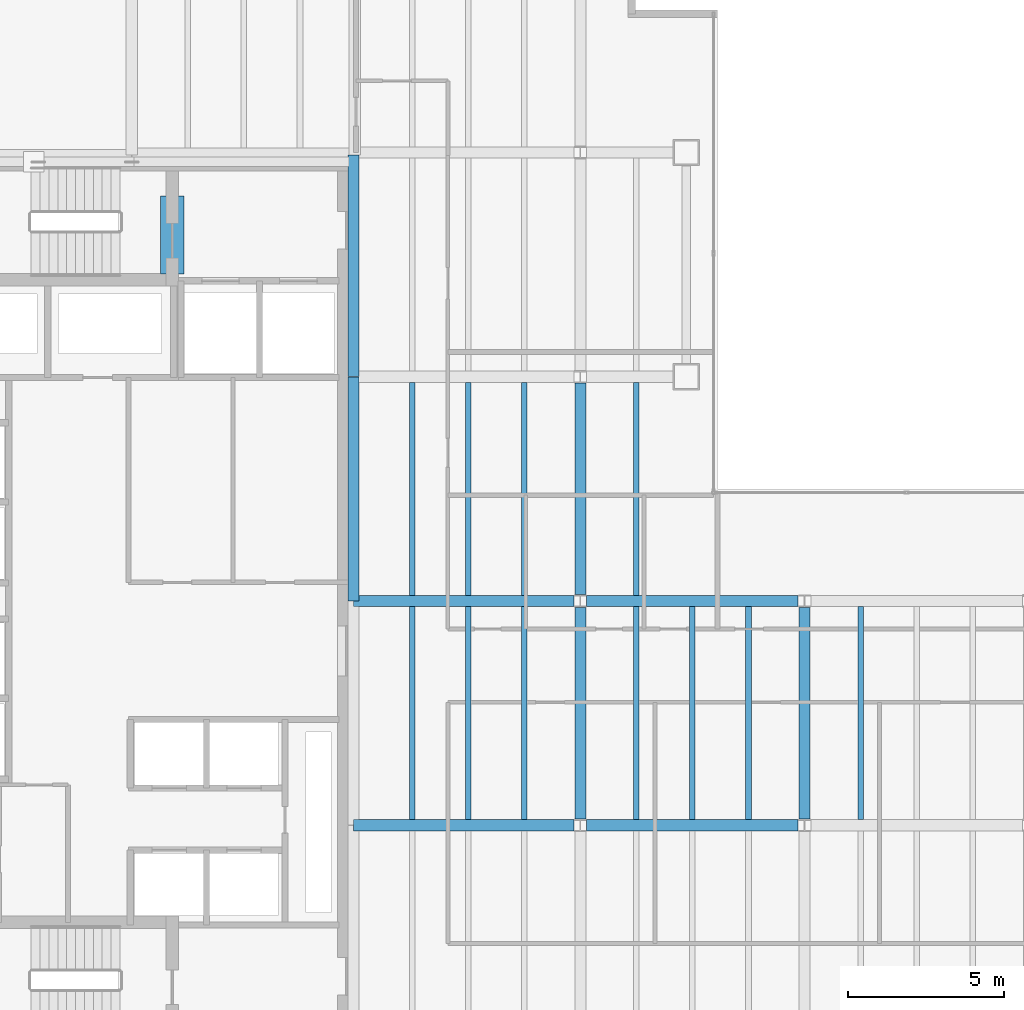
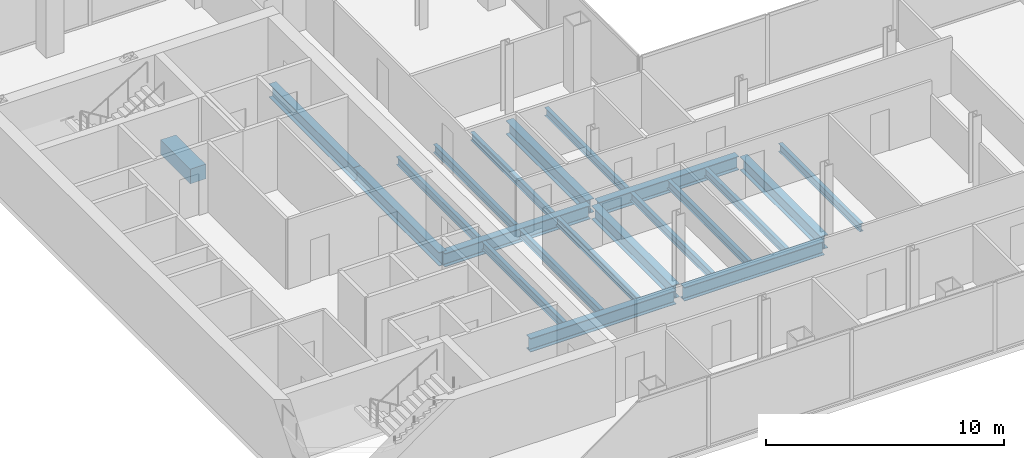
# One storey, part 6 of 23: 21 beams.
"""IFC4 building model written with IfcOpenShell, lengths in metres."""

from ifc_helpers import new_model, si_unit, direction, frame, origin, origin_2d, place, context, subcontext, project, spatial, rectangle, i_section, extrude, material, material_profile, profile_set, type_object, element, save


model = new_model("IFC4")

# Units and contexts
model_context = context("Model", 3, precision=1e-05, world=origin(), true_north=direction((0.0, 1.0)))
body_context = subcontext(model_context, "Body", "Model", "MODEL_VIEW")
ifc_project = project(units=[si_unit("LENGTHUNIT", "METRE"), si_unit("AREAUNIT", "SQUARE_METRE"), si_unit("VOLUMEUNIT", "CUBIC_METRE"), si_unit("PLANEANGLEUNIT", "RADIAN"), si_unit("MASSUNIT", "GRAM", prefix="KILO")], contexts=[model_context])

# Site, building, storey
site_placement = place(None, origin())
site = spatial("IfcSite", under=ifc_project, at=site_placement, CompositionType="ELEMENT")
building_placement = place(site_placement, origin())
building = spatial("IfcBuilding", under=site, at=building_placement, Name="Cobrela Telecom Tower", CompositionType="ELEMENT")
storey_placement = place(building_placement, frame((0.0, 0.0, 156.10009765625)))
storey = spatial("IfcBuildingStorey", under=building, at=storey_placement, Name="L39", CompositionType="ELEMENT", Elevation=156.10009765625)

# Beams
ifc_material_1 = material(Name="Concrete C40/50", Category="concrete")
ifc_material_profile_1 = material_profile(ifc_material_1, rectangle(XDim=0.75, YDim=0.75, at=origin_2d()), Name="RC 750x750")
ifc_profile_set_1 = profile_set([ifc_material_profile_1], Name="Concrete C40/50")
beam_type_1 = type_object("IfcBeamType", Name="BM-COUP-RC", PredefinedType="LINTEL", material=ifc_profile_set_1)
beam_1_placement = place(storey_placement, frame((8.5, 32.10009765625, -0.6201171875), z_axis=(0.0, 1.0, 0.0), x_axis=(-1.0, 0.0, 0.0)))
element("IfcBeam", 1, at=beam_1_placement, inside=storey, type_object=beam_type_1, Name="L39 Core Coupling Lintel Beam", PredefinedType="LINTEL", context=body_context, shape_type="SweptSolid", body=[
    extrude(rectangle(XDim=0.75, YDim=0.75, at=origin_2d()), origin(), (0.0, 0.0, 1.0), 2.5),
])
ifc_material_2 = material(Name="Steel ASTM A992 Grade 50", Category="steel")
ifc_material_profile_2 = material_profile(ifc_material_2, i_section(OverallWidth=0.35595703125, OverallDepth=0.696044921875, WebThickness=0.015380859375, FlangeThickness=0.024658203125, FilletRadius=0.01806640625, at=origin_2d()), Name="W27X146")
ifc_profile_set_2 = profile_set([ifc_material_profile_2], Name="Steel ASTM A992 Grade 50")
beam_type_2 = type_object("IfcBeamType", Name="BM-GIRD-05", PredefinedType="USERDEFINED", material=ifc_profile_set_2)
beam_2_placement = place(storey_placement, frame((14.324951171875, 14.39990234375, -0.6181640625), z_axis=(1.0, 0.0, 0.0), x_axis=(0.0, 1.0, 0.0)))
element("IfcBeam", 2, at=beam_2_placement, inside=storey, type_object=beam_type_2, Name="L39 Primary Girder X13", ObjectType="GIRDER", PredefinedType="USERDEFINED", context=body_context, shape_type="SweptSolid", body=[
    extrude(i_section(OverallWidth=0.35595703125, OverallDepth=0.696044921875, WebThickness=0.015380859375, FlangeThickness=0.024658203125, FilletRadius=0.01806640625, at=origin_2d()), origin(), (0.0, 0.0, 1.0), 7.070556640625),
])
beam_3_placement = place(storey_placement, frame((21.804443359375, 14.39990234375, -0.6181640625), z_axis=(1.0, 0.0, 0.0), x_axis=(0.0, 1.0, 0.0)))
element("IfcBeam", 3, at=beam_3_placement, inside=storey, type_object=beam_type_2, Name="L39 Primary Girder X14", ObjectType="GIRDER", PredefinedType="USERDEFINED", context=body_context, shape_type="SweptSolid", body=[
    extrude(i_section(OverallWidth=0.35595703125, OverallDepth=0.696044921875, WebThickness=0.015380859375, FlangeThickness=0.024658203125, FilletRadius=0.01806640625, at=origin_2d()), origin(), (0.0, 0.0, 1.0), 6.791015625),
])
beam_4_placement = place(storey_placement, frame((14.324951171875, 21.60009765625, -0.6181640625), z_axis=(1.0, 0.0, 0.0), x_axis=(0.0, 1.0, 0.0)))
element("IfcBeam", 4, at=beam_4_placement, inside=storey, type_object=beam_type_2, Name="L39 Primary Girder X16", ObjectType="GIRDER", PredefinedType="USERDEFINED", context=body_context, shape_type="SweptSolid", body=[
    extrude(i_section(OverallWidth=0.35595703125, OverallDepth=0.696044921875, WebThickness=0.015380859375, FlangeThickness=0.024658203125, FilletRadius=0.01806640625, at=origin_2d()), origin(), (0.0, 0.0, 1.0), 7.070556640625),
])
beam_5_placement = place(storey_placement, frame((21.804443359375, 21.60009765625, -0.6181640625), z_axis=(1.0, 0.0, 0.0), x_axis=(0.0, 1.0, 0.0)))
element("IfcBeam", 5, at=beam_5_placement, inside=storey, type_object=beam_type_2, Name="L39 Primary Girder X17", ObjectType="GIRDER", PredefinedType="USERDEFINED", context=body_context, shape_type="SweptSolid", body=[
    extrude(i_section(OverallWidth=0.35595703125, OverallDepth=0.696044921875, WebThickness=0.015380859375, FlangeThickness=0.024658203125, FilletRadius=0.01806640625, at=origin_2d()), origin(), (0.0, 0.0, 1.0), 6.791015625),
])
beam_6_placement = place(storey_placement, frame((14.320068359375, 21.60498046875, -0.6181640625), z_axis=(0.0, 1.0, 0.0), x_axis=(-1.0, 0.0, 0.0)))
element("IfcBeam", 6, at=beam_6_placement, inside=storey, type_object=beam_type_2, Name="L39 Primary Girder Y32", ObjectType="GIRDER", PredefinedType="USERDEFINED", context=body_context, shape_type="SweptSolid", body=[
    extrude(i_section(OverallWidth=0.35595703125, OverallDepth=0.696044921875, WebThickness=0.015380859375, FlangeThickness=0.024658203125, FilletRadius=0.01806640625, at=origin_2d()), origin(), (0.0, 0.0, 1.0), 7.18994140625),
])
beam_7_placement = place(storey_placement, frame((14.320068359375, 28.804931640625, -0.6181640625), z_axis=(0.0, 1.0, 0.0), x_axis=(-1.0, 0.0, 0.0)))
element("IfcBeam", 7, at=beam_7_placement, inside=storey, type_object=beam_type_2, Name="L39 Primary Girder Y33", ObjectType="GIRDER", PredefinedType="USERDEFINED", context=body_context, shape_type="SweptSolid", body=[
    extrude(i_section(OverallWidth=0.35595703125, OverallDepth=0.696044921875, WebThickness=0.015380859375, FlangeThickness=0.024658203125, FilletRadius=0.01806640625, at=origin_2d()), origin(), (0.0, 0.0, 1.0), 7.110107421875),
])
for number, where, z_axis, x_axis, name in (
    (8, (21.60009765625, 14.6044921875, -0.6181640625), (0.0, 1.0, 0.0), (-1.0, 0.0, 0.0), "L39 Primary Girder Y37"),
    (9, (21.60009765625, 21.804443359375, -0.6181640625), (0.0, 1.0, 0.0), (-1.0, 0.0, 0.0), "L39 Primary Girder Y38"),
    (10, (28.800048828125, 14.6044921875, -0.6181640625), (0.0, 1.0, 0.0), (-1.0, 0.0, 0.0), "L39 Primary Girder Y44"),
):
    element("IfcBeam", number, at=place(storey_placement, frame(where, z_axis=z_axis, x_axis=x_axis)), inside=storey, type_object=beam_type_2, Name=name, ObjectType="GIRDER", PredefinedType="USERDEFINED", context=body_context, shape_type="SweptSolid", body=[
        extrude(i_section(OverallWidth=0.35595703125, OverallDepth=0.696044921875, WebThickness=0.015380859375, FlangeThickness=0.024658203125, FilletRadius=0.01806640625, at=origin_2d()), origin(), (0.0, 0.0, 1.0), 6.791015625),
    ])
ifc_material_profile_3 = material_profile(ifc_material_2, i_section(OverallWidth=0.179931640625, OverallDepth=0.4169921875, WebThickness=0.010986328125, FlangeThickness=0.01806640625, FilletRadius=0.011962890625, at=origin_2d()), Name="W16X57")
ifc_profile_set_3 = profile_set([ifc_material_profile_3], Name="Steel ASTM A992 Grade 50")
beam_type_3 = type_object("IfcBeamType", Name="BM-JOIST-04", PredefinedType="JOIST", material=ifc_profile_set_3)
for number, where, z_axis, x_axis, name in (
    (11, (16.199951171875, 14.5830078125, -0.478515625), (0.0, 1.0, 0.0), (-1.0, 0.0, 0.0), "L39 Secondary Composite Floor Beam J05"),
    (12, (16.199951171875, 21.782958984375, -0.478515625), (0.0, 1.0, 0.0), (-1.0, 0.0, 0.0), "L39 Secondary Composite Floor Beam J06"),
    (13, (18.0, 14.5830078125, -0.478515625), (0.0, 1.0, 0.0), (-1.0, 0.0, 0.0), "L39 Secondary Composite Floor Beam J10"),
    (14, (18.0, 21.782958984375, -0.478515625), (0.0, 1.0, 0.0), (-1.0, 0.0, 0.0), "L39 Secondary Composite Floor Beam J11"),
    (15, (19.800048828125, 14.5830078125, -0.478515625), (0.0, 1.0, 0.0), (-1.0, 0.0, 0.0), "L39 Secondary Composite Floor Beam J15"),
    (16, (19.800048828125, 21.782958984375, -0.478515625), (0.0, 1.0, 0.0), (-1.0, 0.0, 0.0), "L39 Secondary Composite Floor Beam J16"),
    (17, (23.39990234375, 14.5830078125, -0.478515625), (0.0, 1.0, 0.0), (-1.0, 0.0, 0.0), "L39 Secondary Composite Floor Beam J20"),
    (18, (23.39990234375, 21.782958984375, -0.478515625), (0.0, 1.0, 0.0), (-1.0, 0.0, 0.0), "L39 Secondary Composite Floor Beam J21"),
    (19, (25.199951171875, 14.5830078125, -0.478515625), (0.0, 1.0, 0.0), (-1.0, 0.0, 0.0), "L39 Secondary Composite Floor Beam J24"),
    (20, (27.0, 14.5830078125, -0.478515625), (0.0, 1.0, 0.0), (-1.0, 0.0, 0.0), "L39 Secondary Composite Floor Beam J26"),
    (21, (30.60009765625, 14.5830078125, -0.478515625), (0.0, 1.0, 0.0), (-1.0, 0.0, 0.0), "L39 Secondary Composite Floor Beam J28"),
):
    element("IfcBeam", number, at=place(storey_placement, frame(where, z_axis=z_axis, x_axis=x_axis)), inside=storey, type_object=beam_type_3, Name=name, PredefinedType="JOIST", context=body_context, shape_type="SweptSolid", body=[
        extrude(i_section(OverallWidth=0.179931640625, OverallDepth=0.4169921875, WebThickness=0.010986328125, FlangeThickness=0.01806640625, FilletRadius=0.011962890625, at=origin_2d()), origin(), (0.0, 0.0, 1.0), 6.833984375),
    ])

save(model, "model.ifc")
